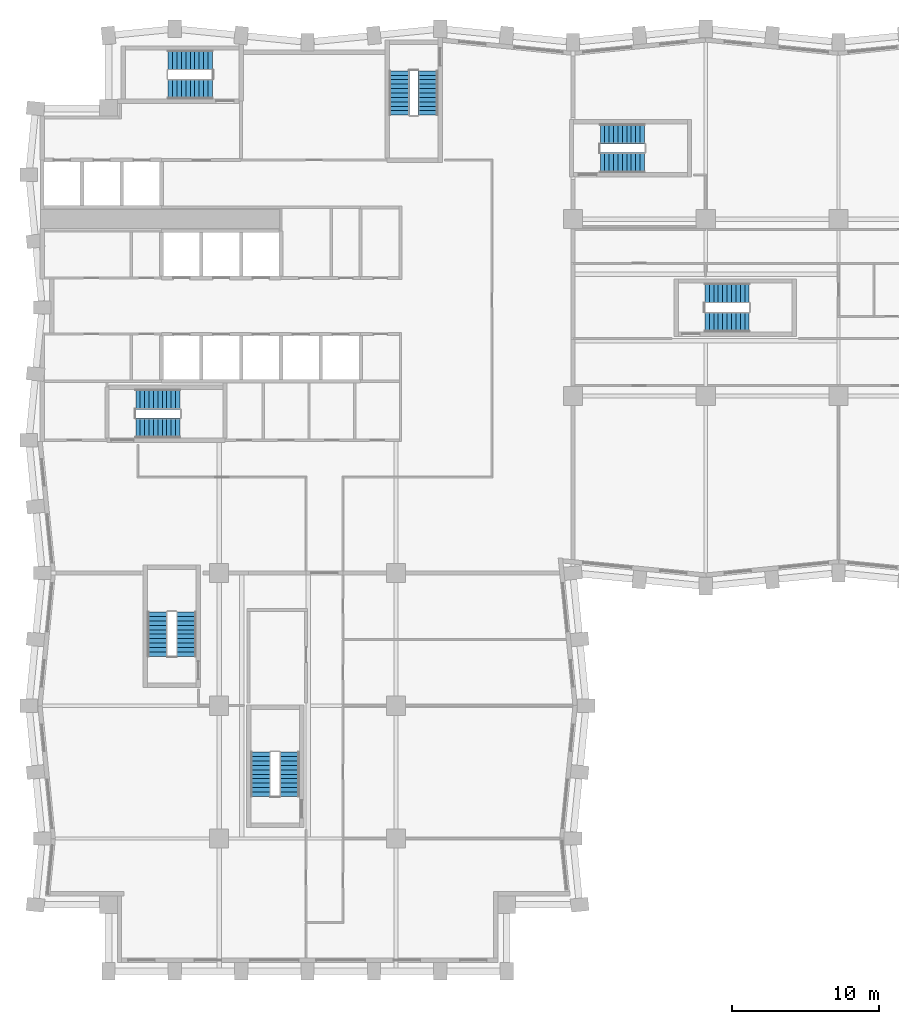
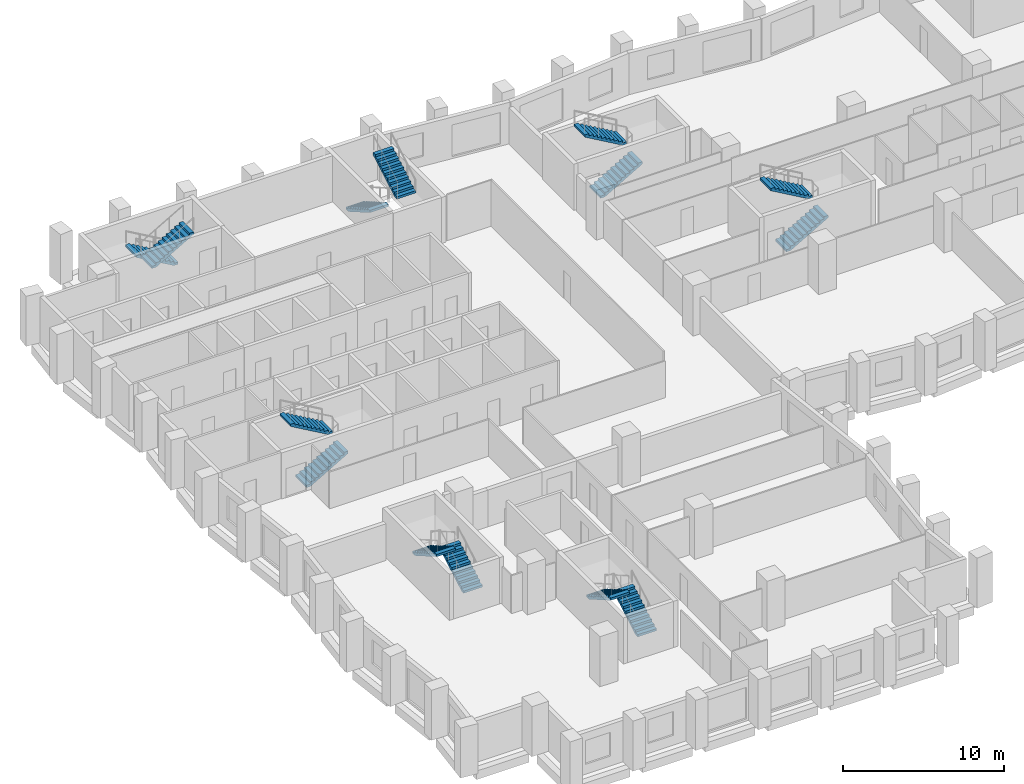
# One storey, part 9 of 11: 14 stair flights, 7 elements without a shape of their own.
"""IFC4 building model written with IfcOpenShell, lengths in metres."""

from ifc_helpers import new_model, si_unit, direction, frame, origin, place, context, subcontext, project, spatial, polyline, outline, extrude, material, type_object, element, aggregate, save


model = new_model("IFC4")

# Units and contexts
model_context = context("Model", 3, precision=1e-05, world=origin(), true_north=direction((0.0, 1.0)))
body_context = subcontext(model_context, "Body", "Model", "MODEL_VIEW")
ifc_project = project(units=[si_unit("LENGTHUNIT", "METRE"), si_unit("AREAUNIT", "SQUARE_METRE"), si_unit("VOLUMEUNIT", "CUBIC_METRE"), si_unit("PLANEANGLEUNIT", "RADIAN"), si_unit("MASSUNIT", "GRAM", prefix="KILO")], contexts=[model_context])

# Site, building, storey
site_placement = place(None, origin())
site = spatial("IfcSite", under=ifc_project, at=site_placement, CompositionType="ELEMENT")
building_placement = place(site_placement, origin())
building = spatial("IfcBuilding", under=site, at=building_placement, Name="Brondeck Convention Tower", CompositionType="ELEMENT")
storey_placement = place(building_placement, frame((0.0, 0.0, 103.699951171875)))
storey = spatial("IfcBuildingStorey", under=building, at=storey_placement, Name="L24", CompositionType="ELEMENT", Elevation=103.699951171875)

# Stair, stair flights
ifc_material = material(Name="Precast concrete C50/60", Category="concrete")
stair_type = type_object("IfcStairType", Name="Core stair 22 risers 172.73 mm riser 300 mm going 1350 wide", PredefinedType="HALF_TURN_STAIR", material=ifc_material)
stair_1_placement = place(storey_placement, origin())
stair_1 = element("IfcStair", 1, at=stair_1_placement, inside=storey, type_object=stair_type, Name="ST-1 L24 stair", PredefinedType="HALF_TURN_STAIR")
stair_flight_type = type_object("IfcStairFlightType", Name="Core stair flight 22 risers 172.73 mm riser 300 mm going 1350 wide", PredefinedType="STRAIGHT", material=ifc_material)
stair_flight_1_placement = place(storey_placement, frame((6.35009765625, 36.824951171875, 0.0), z_axis=(0.0, 0.0, 1.0), x_axis=(1.0, 0.0, 0.0)))
stair_flight_1 = element("IfcStairFlight", 2, at=stair_flight_1_placement, type_object=stair_flight_type, Name="ST-1 flight 1", NumberOfRisers=11, NumberOfTreads=10, PredefinedType="STRAIGHT", RiserHeight=0.172727273, TreadLength=0.3, context=body_context, shape_type="SweptSolid", body=[
    extrude(outline(polyline([(0.0, 0.0), (0.0, 0.172607421875), (0.300048828125, 0.172607421875), (0.300048828125, 0.345458984375), (0.60009765625, 0.345458984375), (0.60009765625, 0.51806640625), (0.89990234375, 0.51806640625), (0.89990234375, 0.69091796875), (1.199951171875, 0.69091796875), (1.199951171875, 0.863525390625), (1.5, 0.863525390625), (1.5, 1.036376953125), (1.800048828125, 1.036376953125), (1.800048828125, 1.208984375), (2.10009765625, 1.208984375), (2.10009765625, 1.3818359375), (2.39990234375, 1.3818359375), (2.39990234375, 1.554443359375), (2.699951171875, 1.554443359375), (2.699951171875, 1.727294921875), (3.0, 1.727294921875), (3.0, 1.89990234375), (3.0, 1.55419921875), (0.300537109375, 0.0), (0.0, 0.0)])), frame((0.0, 0.675048828125, 0.0), z_axis=(0.0, -1.0, 0.0), x_axis=(1.0, 0.0, 0.0)), (0.0, 0.0, 1.0), 1.35009765625),
])
stair_flight_2_placement = place(storey_placement, frame((9.35009765625, 38.77490234375, 1.900146484375), z_axis=(0.0, 0.0, 1.0), x_axis=(-1.0, 0.0, 0.0)))
stair_flight_2 = element("IfcStairFlight", 3, at=stair_flight_2_placement, type_object=stair_flight_type, Name="ST-1 flight 2", NumberOfRisers=11, NumberOfTreads=10, PredefinedType="STRAIGHT", RiserHeight=0.172727273, TreadLength=0.3, context=body_context, shape_type="SweptSolid", body=[
    extrude(outline(polyline([(0.0, 0.0), (0.0, 0.172607421875), (0.300048828125, 0.172607421875), (0.300048828125, 0.345458984375), (0.60009765625, 0.345458984375), (0.60009765625, 0.51806640625), (0.89990234375, 0.51806640625), (0.89990234375, 0.69091796875), (1.199951171875, 0.69091796875), (1.199951171875, 0.863525390625), (1.5, 0.863525390625), (1.5, 1.036376953125), (1.800048828125, 1.036376953125), (1.800048828125, 1.208984375), (2.10009765625, 1.208984375), (2.10009765625, 1.3818359375), (2.39990234375, 1.3818359375), (2.39990234375, 1.554443359375), (2.699951171875, 1.554443359375), (2.699951171875, 1.727294921875), (3.0, 1.727294921875), (3.0, 1.89990234375), (3.0, 1.55419921875), (0.300537109375, 0.0), (0.0, 0.0)])), frame((0.0, 0.675048828125, 0.0), z_axis=(0.0, -1.0, 0.0), x_axis=(1.0, 0.0, 0.0)), (0.0, 0.0, 1.0), 1.35009765625),
])
aggregate(stair_1, [stair_flight_1, stair_flight_2])

stair_2_placement = place(storey_placement, origin())
stair_2 = element("IfcStair", 4, at=stair_2_placement, inside=storey, type_object=stair_type, Name="ST-2 L24 stair", PredefinedType="HALF_TURN_STAIR")
stair_flight_3_placement = place(storey_placement, frame((24.22509765625, 61.050048828125, 0.0), z_axis=(0.0, 0.0, 1.0), x_axis=(0.0, -1.0, 0.0)))
stair_flight_3 = element("IfcStairFlight", 5, at=stair_flight_3_placement, type_object=stair_flight_type, Name="ST-2 flight 1", NumberOfRisers=11, NumberOfTreads=10, PredefinedType="STRAIGHT", RiserHeight=0.172727273, TreadLength=0.3, context=body_context, shape_type="SweptSolid", body=[
    extrude(outline(polyline([(0.0, 0.0), (0.0, 0.172607421875), (0.300048828125, 0.172607421875), (0.300048828125, 0.345458984375), (0.60009765625, 0.345458984375), (0.60009765625, 0.51806640625), (0.89990234375, 0.51806640625), (0.89990234375, 0.69091796875), (1.199951171875, 0.69091796875), (1.199951171875, 0.863525390625), (1.5, 0.863525390625), (1.5, 1.036376953125), (1.800048828125, 1.036376953125), (1.800048828125, 1.208984375), (2.10009765625, 1.208984375), (2.10009765625, 1.3818359375), (2.39990234375, 1.3818359375), (2.39990234375, 1.554443359375), (2.699951171875, 1.554443359375), (2.699951171875, 1.727294921875), (3.0, 1.727294921875), (3.0, 1.89990234375), (3.0, 1.55419921875), (0.300537109375, 0.0), (0.0, 0.0)])), frame((0.0, 0.675048828125, 0.0), z_axis=(0.0, -1.0, 0.0), x_axis=(1.0, 0.0, 0.0)), (0.0, 0.0, 1.0), 1.35009765625),
])
stair_flight_4_placement = place(storey_placement, frame((26.175048828125, 58.050048828125, 1.900146484375), z_axis=(0.0, 0.0, 1.0), x_axis=(0.0, 1.0, 0.0)))
stair_flight_4 = element("IfcStairFlight", 6, at=stair_flight_4_placement, type_object=stair_flight_type, Name="ST-2 flight 2", NumberOfRisers=11, NumberOfTreads=10, PredefinedType="STRAIGHT", RiserHeight=0.172727273, TreadLength=0.3, context=body_context, shape_type="SweptSolid", body=[
    extrude(outline(polyline([(0.0, 0.0), (0.0, 0.172607421875), (0.300048828125, 0.172607421875), (0.300048828125, 0.345458984375), (0.60009765625, 0.345458984375), (0.60009765625, 0.51806640625), (0.89990234375, 0.51806640625), (0.89990234375, 0.69091796875), (1.199951171875, 0.69091796875), (1.199951171875, 0.863525390625), (1.5, 0.863525390625), (1.5, 1.036376953125), (1.800048828125, 1.036376953125), (1.800048828125, 1.208984375), (2.10009765625, 1.208984375), (2.10009765625, 1.3818359375), (2.39990234375, 1.3818359375), (2.39990234375, 1.554443359375), (2.699951171875, 1.554443359375), (2.699951171875, 1.727294921875), (3.0, 1.727294921875), (3.0, 1.89990234375), (3.0, 1.55419921875), (0.300537109375, 0.0), (0.0, 0.0)])), frame((0.0, 0.675048828125, 0.0), z_axis=(0.0, -1.0, 0.0), x_axis=(1.0, 0.0, 0.0)), (0.0, 0.0, 1.0), 1.35009765625),
])
aggregate(stair_2, [stair_flight_3, stair_flight_4])

stair_3_placement = place(storey_placement, origin())
stair_3 = element("IfcStair", 7, at=stair_3_placement, inside=storey, type_object=stair_type, Name="ST-3 L24 stair", PredefinedType="HALF_TURN_STAIR")
stair_flight_5_placement = place(storey_placement, frame((11.550048828125, 61.77490234375, 0.0), z_axis=(0.0, 0.0, 1.0), x_axis=(-1.0, 0.0, 0.0)))
stair_flight_5 = element("IfcStairFlight", 8, at=stair_flight_5_placement, type_object=stair_flight_type, Name="ST-3 flight 1", NumberOfRisers=11, NumberOfTreads=10, PredefinedType="STRAIGHT", RiserHeight=0.172727273, TreadLength=0.3, context=body_context, shape_type="SweptSolid", body=[
    extrude(outline(polyline([(0.0, 0.0), (0.0, 0.172607421875), (0.300048828125, 0.172607421875), (0.300048828125, 0.345458984375), (0.60009765625, 0.345458984375), (0.60009765625, 0.51806640625), (0.89990234375, 0.51806640625), (0.89990234375, 0.69091796875), (1.199951171875, 0.69091796875), (1.199951171875, 0.863525390625), (1.5, 0.863525390625), (1.5, 1.036376953125), (1.800048828125, 1.036376953125), (1.800048828125, 1.208984375), (2.10009765625, 1.208984375), (2.10009765625, 1.3818359375), (2.39990234375, 1.3818359375), (2.39990234375, 1.554443359375), (2.699951171875, 1.554443359375), (2.699951171875, 1.727294921875), (3.0, 1.727294921875), (3.0, 1.89990234375), (3.0, 1.55419921875), (0.300537109375, 0.0), (0.0, 0.0)])), frame((0.0, 0.675048828125, 0.0), z_axis=(0.0, -1.0, 0.0), x_axis=(1.0, 0.0, 0.0)), (0.0, 0.0, 1.0), 1.35009765625),
])
stair_flight_6_placement = place(storey_placement, frame((8.550048828125, 59.824951171875, 1.900146484375), z_axis=(0.0, 0.0, 1.0), x_axis=(1.0, 0.0, 0.0)))
stair_flight_6 = element("IfcStairFlight", 9, at=stair_flight_6_placement, type_object=stair_flight_type, Name="ST-3 flight 2", NumberOfRisers=11, NumberOfTreads=10, PredefinedType="STRAIGHT", RiserHeight=0.172727273, TreadLength=0.3, context=body_context, shape_type="SweptSolid", body=[
    extrude(outline(polyline([(0.0, 0.0), (0.0, 0.172607421875), (0.300048828125, 0.172607421875), (0.300048828125, 0.345458984375), (0.60009765625, 0.345458984375), (0.60009765625, 0.51806640625), (0.89990234375, 0.51806640625), (0.89990234375, 0.69091796875), (1.199951171875, 0.69091796875), (1.199951171875, 0.863525390625), (1.5, 0.863525390625), (1.5, 1.036376953125), (1.800048828125, 1.036376953125), (1.800048828125, 1.208984375), (2.10009765625, 1.208984375), (2.10009765625, 1.3818359375), (2.39990234375, 1.3818359375), (2.39990234375, 1.554443359375), (2.699951171875, 1.554443359375), (2.699951171875, 1.727294921875), (3.0, 1.727294921875), (3.0, 1.89990234375), (3.0, 1.55419921875), (0.300537109375, 0.0), (0.0, 0.0)])), frame((0.0, 0.675048828125, 0.0), z_axis=(0.0, -1.0, 0.0), x_axis=(1.0, 0.0, 0.0)), (0.0, 0.0, 1.0), 1.35009765625),
])
aggregate(stair_3, [stair_flight_5, stair_flight_6])

stair_4_placement = place(storey_placement, origin())
stair_4 = element("IfcStair", 10, at=stair_4_placement, inside=storey, type_object=stair_type, Name="ST-AE L24 stair", PredefinedType="HALF_TURN_STAIR")
stair_flight_7_placement = place(storey_placement, frame((37.85009765625, 54.824951171875, 0.0), z_axis=(0.0, 0.0, 1.0), x_axis=(1.0, 0.0, 0.0)))
stair_flight_7 = element("IfcStairFlight", 11, at=stair_flight_7_placement, type_object=stair_flight_type, Name="ST-AE flight 1", NumberOfRisers=11, NumberOfTreads=10, PredefinedType="STRAIGHT", RiserHeight=0.172727273, TreadLength=0.3, context=body_context, shape_type="SweptSolid", body=[
    extrude(outline(polyline([(0.0, 0.0), (0.0, 0.172607421875), (0.300048828125, 0.172607421875), (0.300048828125, 0.345458984375), (0.60009765625, 0.345458984375), (0.60009765625, 0.51806640625), (0.89990234375, 0.51806640625), (0.89990234375, 0.69091796875), (1.199951171875, 0.69091796875), (1.199951171875, 0.863525390625), (1.5, 0.863525390625), (1.5, 1.036376953125), (1.800048828125, 1.036376953125), (1.800048828125, 1.208984375), (2.10009765625, 1.208984375), (2.10009765625, 1.3818359375), (2.39990234375, 1.3818359375), (2.39990234375, 1.554443359375), (2.699951171875, 1.554443359375), (2.699951171875, 1.727294921875), (3.0, 1.727294921875), (3.0, 1.89990234375), (3.0, 1.55419921875), (0.300537109375, 0.0), (0.0, 0.0)])), frame((0.0, 0.675048828125, 0.0), z_axis=(0.0, -1.0, 0.0), x_axis=(1.0, 0.0, 0.0)), (0.0, 0.0, 1.0), 1.35009765625),
])
stair_flight_8_placement = place(storey_placement, frame((40.85009765625, 56.77490234375, 1.900146484375), z_axis=(0.0, 0.0, 1.0), x_axis=(-1.0, 0.0, 0.0)))
stair_flight_8 = element("IfcStairFlight", 12, at=stair_flight_8_placement, type_object=stair_flight_type, Name="ST-AE flight 2", NumberOfRisers=11, NumberOfTreads=10, PredefinedType="STRAIGHT", RiserHeight=0.172727273, TreadLength=0.3, context=body_context, shape_type="SweptSolid", body=[
    extrude(outline(polyline([(0.0, 0.0), (0.0, 0.172607421875), (0.300048828125, 0.172607421875), (0.300048828125, 0.345458984375), (0.60009765625, 0.345458984375), (0.60009765625, 0.51806640625), (0.89990234375, 0.51806640625), (0.89990234375, 0.69091796875), (1.199951171875, 0.69091796875), (1.199951171875, 0.863525390625), (1.5, 0.863525390625), (1.5, 1.036376953125), (1.800048828125, 1.036376953125), (1.800048828125, 1.208984375), (2.10009765625, 1.208984375), (2.10009765625, 1.3818359375), (2.39990234375, 1.3818359375), (2.39990234375, 1.554443359375), (2.699951171875, 1.554443359375), (2.699951171875, 1.727294921875), (3.0, 1.727294921875), (3.0, 1.89990234375), (3.0, 1.55419921875), (0.300537109375, 0.0), (0.0, 0.0)])), frame((0.0, 0.675048828125, 0.0), z_axis=(0.0, -1.0, 0.0), x_axis=(1.0, 0.0, 0.0)), (0.0, 0.0, 1.0), 1.35009765625),
])
aggregate(stair_4, [stair_flight_7, stair_flight_8])

stair_5_placement = place(storey_placement, origin())
stair_5 = element("IfcStair", 13, at=stair_5_placement, inside=storey, type_object=stair_type, Name="ST-BE L24 stair", PredefinedType="HALF_TURN_STAIR")
stair_flight_9_placement = place(storey_placement, frame((9.77490234375, 21.35009765625, 0.0), z_axis=(0.0, 0.0, 1.0), x_axis=(0.0, 1.0, 0.0)))
stair_flight_9 = element("IfcStairFlight", 14, at=stair_flight_9_placement, type_object=stair_flight_type, Name="ST-BE flight 1", NumberOfRisers=11, NumberOfTreads=10, PredefinedType="STRAIGHT", RiserHeight=0.172727273, TreadLength=0.3, context=body_context, shape_type="SweptSolid", body=[
    extrude(outline(polyline([(0.0, 0.0), (0.0, 0.172607421875), (0.300048828125, 0.172607421875), (0.300048828125, 0.345458984375), (0.60009765625, 0.345458984375), (0.60009765625, 0.51806640625), (0.89990234375, 0.51806640625), (0.89990234375, 0.69091796875), (1.199951171875, 0.69091796875), (1.199951171875, 0.863525390625), (1.5, 0.863525390625), (1.5, 1.036376953125), (1.800048828125, 1.036376953125), (1.800048828125, 1.208984375), (2.10009765625, 1.208984375), (2.10009765625, 1.3818359375), (2.39990234375, 1.3818359375), (2.39990234375, 1.554443359375), (2.699951171875, 1.554443359375), (2.699951171875, 1.727294921875), (3.0, 1.727294921875), (3.0, 1.89990234375), (3.0, 1.55419921875), (0.300537109375, 0.0), (0.0, 0.0)])), frame((0.0, 0.675048828125, 0.0), z_axis=(0.0, -1.0, 0.0), x_axis=(1.0, 0.0, 0.0)), (0.0, 0.0, 1.0), 1.35009765625),
])
stair_flight_10_placement = place(storey_placement, frame((7.824951171875, 24.35009765625, 1.900146484375), z_axis=(0.0, 0.0, 1.0), x_axis=(0.0, -1.0, 0.0)))
stair_flight_10 = element("IfcStairFlight", 15, at=stair_flight_10_placement, type_object=stair_flight_type, Name="ST-BE flight 2", NumberOfRisers=11, NumberOfTreads=10, PredefinedType="STRAIGHT", RiserHeight=0.172727273, TreadLength=0.3, context=body_context, shape_type="SweptSolid", body=[
    extrude(outline(polyline([(0.0, 0.0), (0.0, 0.172607421875), (0.300048828125, 0.172607421875), (0.300048828125, 0.345458984375), (0.60009765625, 0.345458984375), (0.60009765625, 0.51806640625), (0.89990234375, 0.51806640625), (0.89990234375, 0.69091796875), (1.199951171875, 0.69091796875), (1.199951171875, 0.863525390625), (1.5, 0.863525390625), (1.5, 1.036376953125), (1.800048828125, 1.036376953125), (1.800048828125, 1.208984375), (2.10009765625, 1.208984375), (2.10009765625, 1.3818359375), (2.39990234375, 1.3818359375), (2.39990234375, 1.554443359375), (2.699951171875, 1.554443359375), (2.699951171875, 1.727294921875), (3.0, 1.727294921875), (3.0, 1.89990234375), (3.0, 1.55419921875), (0.300537109375, 0.0), (0.0, 0.0)])), frame((0.0, 0.675048828125, 0.0), z_axis=(0.0, -1.0, 0.0), x_axis=(1.0, 0.0, 0.0)), (0.0, 0.0, 1.0), 1.35009765625),
])
aggregate(stair_5, [stair_flight_9, stair_flight_10])

stair_6_placement = place(storey_placement, origin())
stair_6 = element("IfcStair", 16, at=stair_6_placement, inside=storey, type_object=stair_type, Name="ST-AF L24 stair", PredefinedType="HALF_TURN_STAIR")
stair_flight_11_placement = place(storey_placement, frame((44.949951171875, 44.02490234375, 0.0), z_axis=(0.0, 0.0, 1.0), x_axis=(1.0, 0.0, 0.0)))
stair_flight_11 = element("IfcStairFlight", 17, at=stair_flight_11_placement, type_object=stair_flight_type, Name="ST-AF flight 1", NumberOfRisers=11, NumberOfTreads=10, PredefinedType="STRAIGHT", RiserHeight=0.172727273, TreadLength=0.3, context=body_context, shape_type="SweptSolid", body=[
    extrude(outline(polyline([(0.0, 0.0), (0.0, 0.172607421875), (0.300048828125, 0.172607421875), (0.300048828125, 0.345458984375), (0.60009765625, 0.345458984375), (0.60009765625, 0.51806640625), (0.89990234375, 0.51806640625), (0.89990234375, 0.69091796875), (1.199951171875, 0.69091796875), (1.199951171875, 0.863525390625), (1.5, 0.863525390625), (1.5, 1.036376953125), (1.800048828125, 1.036376953125), (1.800048828125, 1.208984375), (2.10009765625, 1.208984375), (2.10009765625, 1.3818359375), (2.39990234375, 1.3818359375), (2.39990234375, 1.554443359375), (2.699951171875, 1.554443359375), (2.699951171875, 1.727294921875), (3.0, 1.727294921875), (3.0, 1.89990234375), (3.0, 1.55419921875), (0.300537109375, 0.0), (0.0, 0.0)])), frame((0.0, 0.675048828125, 0.0), z_axis=(0.0, -1.0, 0.0), x_axis=(1.0, 0.0, 0.0)), (0.0, 0.0, 1.0), 1.35009765625),
])
stair_flight_12_placement = place(storey_placement, frame((47.949951171875, 45.97509765625, 1.900146484375), z_axis=(0.0, 0.0, 1.0), x_axis=(-1.0, 0.0, 0.0)))
stair_flight_12 = element("IfcStairFlight", 18, at=stair_flight_12_placement, type_object=stair_flight_type, Name="ST-AF flight 2", NumberOfRisers=11, NumberOfTreads=10, PredefinedType="STRAIGHT", RiserHeight=0.172727273, TreadLength=0.3, context=body_context, shape_type="SweptSolid", body=[
    extrude(outline(polyline([(0.0, 0.0), (0.0, 0.172607421875), (0.300048828125, 0.172607421875), (0.300048828125, 0.345458984375), (0.60009765625, 0.345458984375), (0.60009765625, 0.51806640625), (0.89990234375, 0.51806640625), (0.89990234375, 0.69091796875), (1.199951171875, 0.69091796875), (1.199951171875, 0.863525390625), (1.5, 0.863525390625), (1.5, 1.036376953125), (1.800048828125, 1.036376953125), (1.800048828125, 1.208984375), (2.10009765625, 1.208984375), (2.10009765625, 1.3818359375), (2.39990234375, 1.3818359375), (2.39990234375, 1.554443359375), (2.699951171875, 1.554443359375), (2.699951171875, 1.727294921875), (3.0, 1.727294921875), (3.0, 1.89990234375), (3.0, 1.55419921875), (0.300537109375, 0.0), (0.0, 0.0)])), frame((0.0, 0.675048828125, 0.0), z_axis=(0.0, -1.0, 0.0), x_axis=(1.0, 0.0, 0.0)), (0.0, 0.0, 1.0), 1.35009765625),
])
aggregate(stair_6, [stair_flight_11, stair_flight_12])

stair_7_placement = place(storey_placement, origin())
stair_7 = element("IfcStair", 19, at=stair_7_placement, inside=storey, type_object=stair_type, Name="ST-BF L24 stair", PredefinedType="HALF_TURN_STAIR")
stair_flight_13_placement = place(storey_placement, frame((16.77490234375, 11.85009765625, 0.0), z_axis=(0.0, 0.0, 1.0), x_axis=(0.0, 1.0, 0.0)))
stair_flight_13 = element("IfcStairFlight", 20, at=stair_flight_13_placement, type_object=stair_flight_type, Name="ST-BF flight 1", NumberOfRisers=11, NumberOfTreads=10, PredefinedType="STRAIGHT", RiserHeight=0.172727273, TreadLength=0.3, context=body_context, shape_type="SweptSolid", body=[
    extrude(outline(polyline([(0.0, 0.0), (0.0, 0.172607421875), (0.300048828125, 0.172607421875), (0.300048828125, 0.345458984375), (0.60009765625, 0.345458984375), (0.60009765625, 0.51806640625), (0.89990234375, 0.51806640625), (0.89990234375, 0.69091796875), (1.199951171875, 0.69091796875), (1.199951171875, 0.863525390625), (1.5, 0.863525390625), (1.5, 1.036376953125), (1.800048828125, 1.036376953125), (1.800048828125, 1.208984375), (2.10009765625, 1.208984375), (2.10009765625, 1.3818359375), (2.39990234375, 1.3818359375), (2.39990234375, 1.554443359375), (2.699951171875, 1.554443359375), (2.699951171875, 1.727294921875), (3.0, 1.727294921875), (3.0, 1.89990234375), (3.0, 1.55419921875), (0.300537109375, 0.0), (0.0, 0.0)])), frame((0.0, 0.675048828125, 0.0), z_axis=(0.0, -1.0, 0.0), x_axis=(1.0, 0.0, 0.0)), (0.0, 0.0, 1.0), 1.35009765625),
])
stair_flight_14_placement = place(storey_placement, frame((14.824951171875, 14.85009765625, 1.900146484375), z_axis=(0.0, 0.0, 1.0), x_axis=(0.0, -1.0, 0.0)))
stair_flight_14 = element("IfcStairFlight", 21, at=stair_flight_14_placement, type_object=stair_flight_type, Name="ST-BF flight 2", NumberOfRisers=11, NumberOfTreads=10, PredefinedType="STRAIGHT", RiserHeight=0.172727273, TreadLength=0.3, context=body_context, shape_type="SweptSolid", body=[
    extrude(outline(polyline([(0.0, 0.0), (0.0, 0.172607421875), (0.300048828125, 0.172607421875), (0.300048828125, 0.345458984375), (0.60009765625, 0.345458984375), (0.60009765625, 0.51806640625), (0.89990234375, 0.51806640625), (0.89990234375, 0.69091796875), (1.199951171875, 0.69091796875), (1.199951171875, 0.863525390625), (1.5, 0.863525390625), (1.5, 1.036376953125), (1.800048828125, 1.036376953125), (1.800048828125, 1.208984375), (2.10009765625, 1.208984375), (2.10009765625, 1.3818359375), (2.39990234375, 1.3818359375), (2.39990234375, 1.554443359375), (2.699951171875, 1.554443359375), (2.699951171875, 1.727294921875), (3.0, 1.727294921875), (3.0, 1.89990234375), (3.0, 1.55419921875), (0.300537109375, 0.0), (0.0, 0.0)])), frame((0.0, 0.675048828125, 0.0), z_axis=(0.0, -1.0, 0.0), x_axis=(1.0, 0.0, 0.0)), (0.0, 0.0, 1.0), 1.35009765625),
])
aggregate(stair_7, [stair_flight_13, stair_flight_14])

save(model, "model.ifc")
